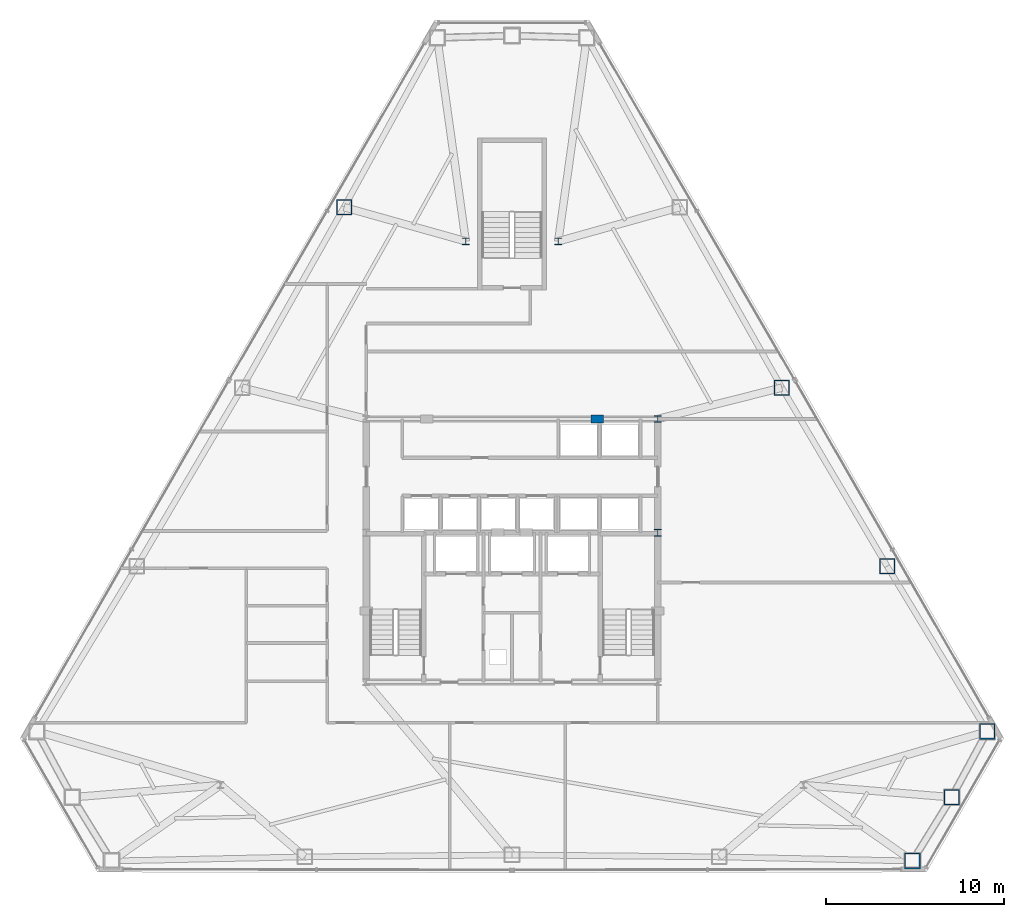
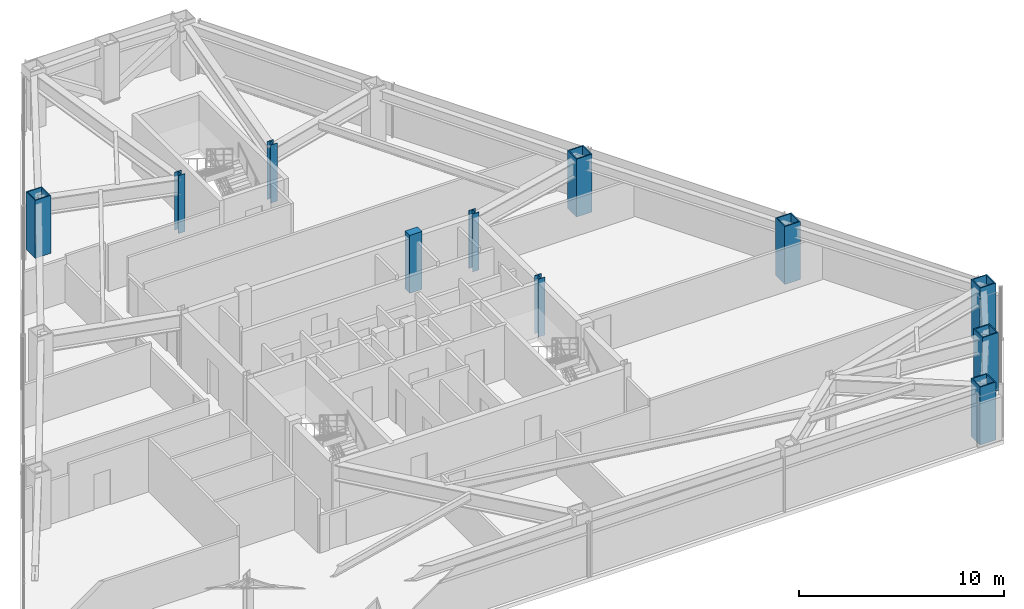
# One storey, part 2 of 13: 11 columns.
"""IFC4 building model written with IfcOpenShell, lengths in metres."""

from ifc_helpers import new_model, si_unit, direction, frame, origin, origin_2d, place, context, subcontext, project, spatial, rectangle, hollow_rectangle, i_section, extrude, material, material_profile, profile_set, type_object, element, save


model = new_model("IFC4")

# Units and contexts
model_context = context("Model", 3, precision=1e-05, world=origin(), true_north=direction((0.0, 1.0)))
body_context = subcontext(model_context, "Body", "Model", "MODEL_VIEW")
ifc_project = project(units=[si_unit("LENGTHUNIT", "METRE"), si_unit("AREAUNIT", "SQUARE_METRE"), si_unit("VOLUMEUNIT", "CUBIC_METRE"), si_unit("PLANEANGLEUNIT", "RADIAN"), si_unit("MASSUNIT", "GRAM", prefix="KILO")], contexts=[model_context])

# Site, building, storey
site_placement = place(None, origin())
site = spatial("IfcSite", under=ifc_project, at=site_placement, CompositionType="ELEMENT")
building_placement = place(site_placement, origin())
building = spatial("IfcBuilding", under=site, at=building_placement, Name="Varakhsha Concourse Tower", CompositionType="ELEMENT")
storey_placement = place(building_placement, frame((0.0, 0.0, 122.89990234375)))
storey = spatial("IfcBuildingStorey", under=building, at=storey_placement, Name="L35", CompositionType="ELEMENT", Elevation=122.89990234375)

# Columns
ifc_material_1 = material(Name="Structural Steel ASTM A992 Grade 50", Category="steel")
ifc_material_profile_1 = material_profile(ifc_material_1, i_section(OverallWidth=0.3740234375, OverallDepth=0.3720703125, WebThickness=0.01611328125, FlangeThickness=0.02587890625, at=origin_2d()), Name="W14X132")
ifc_profile_set_1 = profile_set([ifc_material_profile_1], Name="Structural Steel ASTM A992 Grade 50")
column_type_1 = type_object("IfcColumnType", Name="CL-CORE-W14X132", PredefinedType="COLUMN", material=ifc_profile_set_1)
for number, where, z_axis, x_axis, name in (
    (1, (48.199951171875, 24.800048828125, 0.0), (0.0, 0.0, 1.0), (1.0, 0.0, 0.0), "L35 Core Column CC-ME"),
    (2, (48.199951171875, 31.199951171875, 0.0), (0.0, 0.0, 1.0), (1.0, 0.0, 0.0), "L35 Core Column CC-NE"),
    (3, (37.39990234375, 41.199951171875, 0.0), (0.0, 0.0, 1.0), (1.0, 0.0, 0.0), "L35 Core Column NS-W"),
    (4, (42.60009765625, 41.199951171875, 0.0), (0.0, 0.0, 1.0), (1.0, 0.0, 0.0), "L35 Core Column NS-E"),
):
    element("IfcColumn", number, at=place(storey_placement, frame(where, z_axis=z_axis, x_axis=x_axis)), inside=storey, type_object=column_type_1, Name=name, PredefinedType="COLUMN", context=body_context, shape_type="SweptSolid", body=[
        extrude(i_section(OverallWidth=0.3740234375, OverallDepth=0.3720703125, WebThickness=0.01611328125, FlangeThickness=0.02587890625, at=origin_2d()), origin(), (0.0, 0.0, 1.0), 3.4501953125),
    ])
ifc_material_2 = material(Name="Concrete fc 65 MPa", Category="concrete")
ifc_material_profile_2 = material_profile(ifc_material_2, rectangle(XDim=0.699951171875, YDim=0.449951171875, at=origin_2d()), Name="RC 700x450")
ifc_profile_set_2 = profile_set([ifc_material_profile_2], Name="Concrete fc 65 MPa")
column_type_2 = type_object("IfcColumnType", Name="CL-PIL-700X450", PredefinedType="PILASTER", material=ifc_profile_set_2)
column_placement = place(storey_placement, frame((44.800048828125, 31.199951171875, 0.0), z_axis=(0.0, 0.0, 1.0), x_axis=(1.0, 0.0, 0.0)))
element("IfcColumn", 5, at=column_placement, inside=storey, type_object=column_type_2, Name="L35 Core Boundary Pilaster PIL-N2", PredefinedType="PILASTER", context=body_context, shape_type="SweptSolid", body=[
    extrude(rectangle(XDim=0.699951171875, YDim=0.449951171875, at=origin_2d()), origin(), (0.0, 0.0, 1.0), 3.4501953125),
])
ifc_material_3 = material(Name="Structural Steel ASTM A572 Grade 50", Category="steel")
ifc_material_profile_3 = material_profile(ifc_material_3, hollow_rectangle(XDim=0.8798828125, YDim=0.8798828125, WallThickness=0.06005859375, at=origin_2d()), Name="BOX 880x880x60")
ifc_profile_set_3 = profile_set([ifc_material_profile_3], Name="Structural Steel ASTM A572 Grade 50")
column_type_3 = type_object("IfcColumnType", Name="CL-TUBE-880", PredefinedType="COLUMN", material=ifc_profile_set_3)
for number, where, z_axis, x_axis, name in (
    (6, (30.554443359375, 43.120361328125, 0.0), (0.0, 0.0, 1.0), (1.0, 0.0, 0.0), "L35 Framed-Tube Column TC04"),
    (7, (62.53564453125, 6.328857421875, 0.0), (0.0, 0.0, 1.0), (1.0, 0.0, 0.0), "L35 Framed-Tube Column TC13"),
    (8, (64.7451171875, 9.913330078125, 0.0), (0.0, 0.0, 1.0), (1.0, 0.0, 0.0), "L35 Framed-Tube Column TC14"),
    (9, (66.744873046875, 13.619140625, 0.0), (0.0, 0.0, 1.0), (1.0, 0.0, 0.0), "L35 Framed-Tube Column TC15"),
    (10, (61.1083984375, 22.919921875, 0.0), (0.0, 0.0, 1.0), (1.0, 0.0, 0.0), "L35 Framed-Tube Column TC16"),
    (11, (55.180419921875, 32.96435546875, 0.0), (0.0, 0.0, 1.0), (1.0, 0.0, 0.0), "L35 Framed-Tube Column TC17"),
):
    element("IfcColumn", number, at=place(storey_placement, frame(where, z_axis=z_axis, x_axis=x_axis)), inside=storey, type_object=column_type_3, Name=name, PredefinedType="COLUMN", context=body_context, shape_type="SweptSolid", body=[
        extrude(hollow_rectangle(XDim=0.8798828125, YDim=0.8798828125, WallThickness=0.06005859375, at=origin_2d()), origin(), (0.0, 0.0, 1.0), 3.4501953125),
    ])

save(model, "model.ifc")
